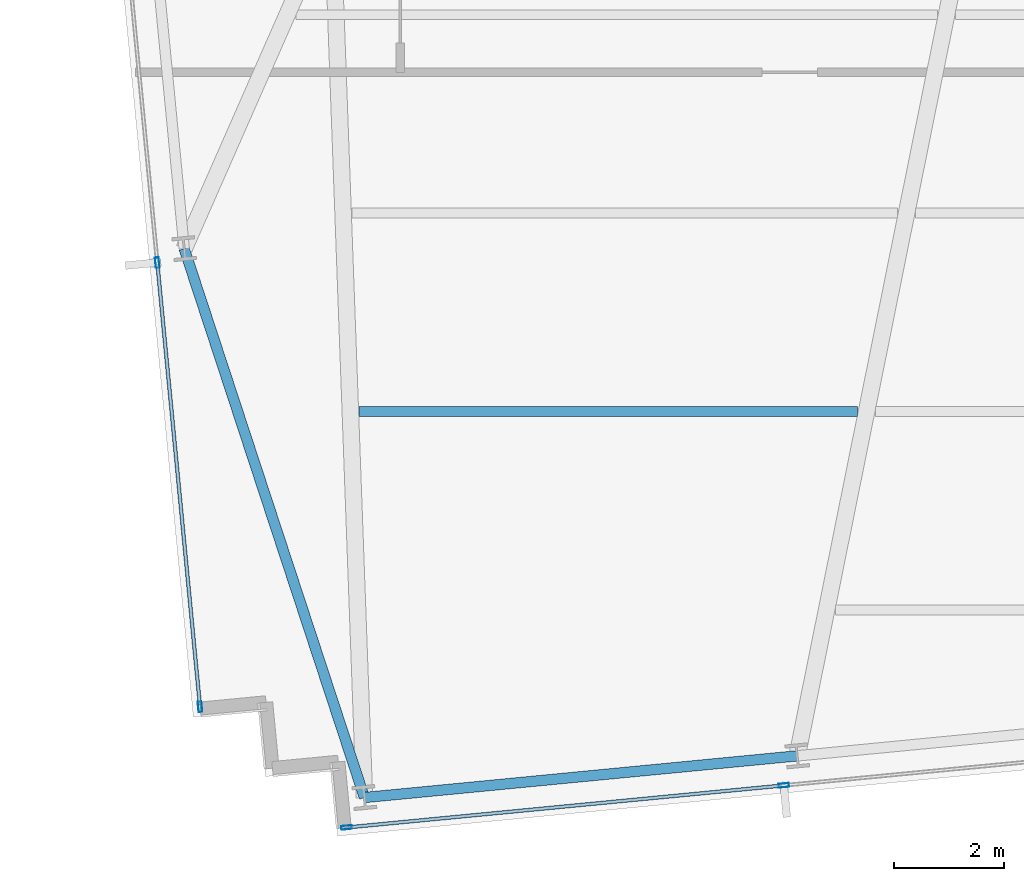
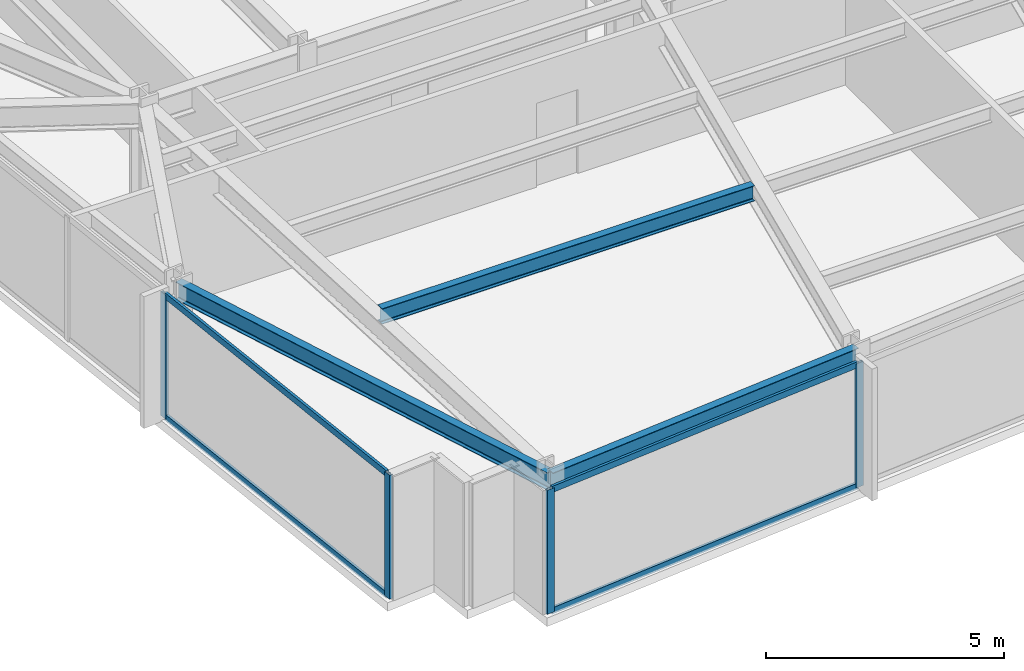
# One storey, part 2 of 32: 8 members, 3 beams, 2 elements without a shape of their own.
"""IFC4 building model written with IfcOpenShell, lengths in metres."""

import ifcopenshell
import ifcopenshell.guid

model = None  # the IFC model being written
_history = None  # IfcOwnerHistory: only IFC2X3 demands one
_inside = {}  # id of a spatial element -> (the spatial element, [elements in it])
_under = {}  # id of a project, library or spatial element -> (it, [spatial elements below it])
_declared = {}  # id of a project -> (the project, [libraries it declares])
_typed = {}  # id of a type object -> (the type object, [elements of that type])
_made_of = {}  # id of a material, layer set ... -> (it, [elements and type objects made of it])


def new_model(schema):
    """Start an empty IFC model of exactly this schema.

    Asked for "IFC4X3", IfcOpenShell would pick the latest addendum, in which some entities
    have other attributes; the version numbers below select the first issue.
    IFC2X3 requires an IfcOwnerHistory on every rooted entity: one is made here for all.
    """
    global model, _history
    if schema == "IFC4X3":
        model = ifcopenshell.file(schema_version=(4, 3, 0, 0))
    else:
        model = ifcopenshell.file(schema=schema)
    _inside.clear()
    _under.clear()
    _declared.clear()
    _typed.clear()
    _made_of.clear()
    _history = None
    if model.schema == "IFC2X3":
        org = make("IfcOrganization", Name="unknown")
        user = make(
            "IfcPersonAndOrganization",
            ThePerson=make("IfcPerson", FamilyName="unknown"),
            TheOrganization=org,
        )
        app = make(
            "IfcApplication",
            ApplicationDeveloper=org,
            Version="unknown",
            ApplicationFullName="unknown",
            ApplicationIdentifier="unknown",
        )
        _history = make(
            "IfcOwnerHistory",
            OwningUser=user,
            OwningApplication=app,
            ChangeAction="ADDED",
            CreationDate=0,
        )
    return model


def make(cls, **values):
    """One entity of the class cls with the attributes given. An attribute that is None is left unset."""
    return model.create_entity(
        cls, **{name: value for name, value in values.items() if value is not None}
    )


def rooted(cls, **values):
    """An entity with a GlobalId (a new one), such as an element, a storey or a relation."""
    return make(cls, GlobalId=ifcopenshell.guid.new(), OwnerHistory=_history, **values)


def si_unit(unit_type, name, prefix=None):
    """IfcSIUnit, for example si_unit("LENGTHUNIT", "METRE", prefix="MILLI")."""
    return make("IfcSIUnit", UnitType=unit_type, Prefix=prefix, Name=name)


def assignment(units):
    """IfcUnitAssignment: the units of a project."""
    return None if units is None else make("IfcUnitAssignment", Units=units)


def point(xyz):
    """IfcCartesianPoint."""
    return None if xyz is None else make("IfcCartesianPoint", Coordinates=xyz)


def direction(xyz):
    """IfcDirection."""
    return None if xyz is None else make("IfcDirection", DirectionRatios=xyz)


def frame(location, z_axis=None, x_axis=None):
    """IfcAxis2Placement3D, a coordinate frame: its origin and axes. An axis left out is left unset."""
    return make(
        "IfcAxis2Placement3D",
        Location=point(location),
        Axis=direction(z_axis),
        RefDirection=direction(x_axis),
    )


def frame_2d(location, x_axis=None):
    """IfcAxis2Placement2D, a coordinate frame in the plane: its origin and x axis."""
    return make(
        "IfcAxis2Placement2D", Location=point(location), RefDirection=direction(x_axis)
    )


def origin():
    """The frame at (0, 0, 0) with its axes left unset."""
    return frame((0.0, 0.0, 0.0))


def origin_2d():
    """The frame at (0, 0) in the plane with its x axis left unset."""
    return frame_2d((0.0, 0.0))


def place(relative_to, where):
    """IfcLocalPlacement: puts the frame where relative to a parent placement (None: the world)."""
    return make(
        "IfcLocalPlacement", PlacementRelTo=relative_to, RelativePlacement=where
    )


def context(
    kind, dimensions, precision=None, world=None, true_north=None, identifier=None
):
    """IfcGeometricRepresentationContext, for example the 3D "Model" context."""
    return make(
        "IfcGeometricRepresentationContext",
        ContextIdentifier=identifier,
        ContextType=kind,
        CoordinateSpaceDimension=dimensions,
        Precision=precision,
        WorldCoordinateSystem=world,
        TrueNorth=true_north,
    )


def subcontext(parent, identifier, kind, view, scale=None):
    """IfcGeometricRepresentationSubContext, for example "Body" below "Model"."""
    return make(
        "IfcGeometricRepresentationSubContext",
        ContextIdentifier=identifier,
        ContextType=kind,
        ParentContext=parent,
        TargetScale=scale,
        TargetView=view,
    )


def project(units=None, contexts=None):
    """IfcProject with its units and contexts."""
    return rooted(
        "IfcProject",
        Name="project",
        RepresentationContexts=contexts,
        UnitsInContext=assignment(units),
    )


def spatial(cls, under=None, at=None, **own):
    """A site, building, storey or space (cls), placed at a placement, below another one or the project."""
    s = rooted(cls, ObjectPlacement=at, **own)
    if under is not None:
        _under.setdefault(under.id(), (under, []))[1].append(s)
    return s


def profile(cls, at=None, kind="AREA", **sizes):
    """A parametric profile (cls). Its sizes go by their IFC names, for example OverallWidth=200.0."""
    return make(cls, ProfileType=kind, Position=at, **sizes)


def hollow_rectangle(**sizes):
    """IfcRectangleHollowProfileDef."""
    return profile("IfcRectangleHollowProfileDef", **sizes)


def i_section(**sizes):
    """IfcIShapeProfileDef."""
    return profile("IfcIShapeProfileDef", **sizes)


def extrude(swept, where, along, depth):
    """IfcExtrudedAreaSolid: the profile swept, set in the frame where, extruded along a direction by depth."""
    return make(
        "IfcExtrudedAreaSolid",
        SweptArea=swept,
        Position=where,
        ExtrudedDirection=direction(along),
        Depth=depth,
    )


def shape(context_of_items, identifier, shape_type, items):
    """IfcShapeRepresentation: the items that make up one representation, for example the "Body"."""
    return make(
        "IfcShapeRepresentation",
        ContextOfItems=context_of_items,
        RepresentationIdentifier=identifier,
        RepresentationType=shape_type,
        Items=items,
    )


def material(Name=None, Category=None):
    """IfcMaterial."""
    return make("IfcMaterial", Name=Name, Category=Category)


def material_profile(
    of_material, cross_section, Name=None, Category=None, Priority=None
):
    """IfcMaterialProfile: a cross section and its material."""
    return make(
        "IfcMaterialProfile",
        Name=Name,
        Material=of_material,
        Profile=cross_section,
        Priority=Priority,
        Category=Category,
    )


def profile_set(profiles, Name=None, composite=None):
    """IfcMaterialProfileSet."""
    return make(
        "IfcMaterialProfileSet",
        Name=Name,
        MaterialProfiles=profiles,
        CompositeProfile=composite,
    )


def made_of(thing, what):
    """Note that an element or type object is made of a material, layer set ...; save() writes the relation."""
    if what is not None:
        _made_of.setdefault(what.id(), (what, []))[1].append(thing)
    return thing


def type_object(cls, material=None, **own):
    """A type object (cls), such as IfcWallType, which elements share."""
    return made_of(rooted(cls, **own), material)


def element(
    cls,
    number,
    at=None,
    inside=None,
    cuts=None,
    type_object=None,
    material=None,
    context=None,
    identifier="Body",
    shape_type=None,
    held_by="IfcProductDefinitionShape",
    body=None,
    shapes=None,
    **own,
):
    """One element of the class cls, such as IfcWall. Its Tag is "e" and its number.

    at: its placement. inside: the storey or other place that contains it. cuts: it is an
    opening in that element (IfcRelVoidsElement). A single representation is given by context,
    identifier, shape_type and body (its items); several are given by shapes. held_by: the class
    of the entity that holds the representations. save() writes the other relations.
    """
    e = rooted(cls, Tag="e%d" % number, ObjectPlacement=at, **own)
    if body is not None:
        shapes = [shape(context, identifier, shape_type, body)]
    if shapes is not None:
        e.Representation = make(held_by, Representations=shapes)
    if inside is not None:
        _inside.setdefault(inside.id(), (inside, []))[1].append(e)
    if cuts is not None:
        rooted(
            "IfcRelVoidsElement", RelatingBuildingElement=cuts, RelatedOpeningElement=e
        )
    if type_object is not None:
        _typed.setdefault(type_object.id(), (type_object, []))[1].append(e)
    return made_of(e, material)


def aggregate(whole, parts):
    """IfcRelAggregates: a whole, such as a stair, and the parts it consists of."""
    return rooted("IfcRelAggregates", RelatingObject=whole, RelatedObjects=parts)


def save(model, path):
    """Write the relations noted so far, then the file.

    IfcRelAggregates (storeys below a building ...), IfcRelContainedInSpatialStructure (elements
    in a storey), IfcRelDefinesByType, IfcRelAssociatesMaterial and IfcRelDeclares: one each for
    every whole, place, type object, material and project.
    """
    for whole, parts in _under.values():
        aggregate(whole, parts)
    for where, things in _inside.values():
        rooted(
            "IfcRelContainedInSpatialStructure",
            RelatedElements=things,
            RelatingStructure=where,
        )
    for kind, things in _typed.values():
        rooted("IfcRelDefinesByType", RelatedObjects=things, RelatingType=kind)
    for what, things in _made_of.values():
        rooted("IfcRelAssociatesMaterial", RelatedObjects=things, RelatingMaterial=what)
    for by, libraries in _declared.values():
        rooted("IfcRelDeclares", RelatingContext=by, RelatedDefinitions=libraries)
    model.write(path)


model = new_model("IFC4")

# Units and contexts
model_context = context("Model", 3, precision=1e-05, world=origin(), true_north=direction((0.0, 1.0)))
body_context = subcontext(model_context, "Body", "Model", "MODEL_VIEW")
ifc_project = project(units=[si_unit("LENGTHUNIT", "METRE"), si_unit("AREAUNIT", "SQUARE_METRE"), si_unit("VOLUMEUNIT", "CUBIC_METRE"), si_unit("PLANEANGLEUNIT", "RADIAN"), si_unit("MASSUNIT", "GRAM", prefix="KILO")], contexts=[model_context])

# Site, building, storey
site_placement = place(None, origin())
site = spatial("IfcSite", under=ifc_project, at=site_placement, CompositionType="ELEMENT")
building_placement = place(site_placement, origin())
building = spatial("IfcBuilding", under=site, at=building_placement, Name="Yelkora Congress Tower", CompositionType="ELEMENT")
storey_placement = place(building_placement, frame((0.0, 0.0, 103.300048828125)))
storey = spatial("IfcBuildingStorey", under=building, at=storey_placement, Name="L27", CompositionType="ELEMENT", Elevation=103.300048828125)

# Beams
ifc_material_1 = material(Name="Steel S355J2", Category="steel")
ifc_material_profile_1 = material_profile(ifc_material_1, i_section(OverallWidth=0.179931640625, OverallDepth=0.39990234375, WebThickness=0.008544921875, FlangeThickness=0.013427734375, FilletRadius=0.02099609375, at=origin_2d()), Name="IPE 400")
ifc_profile_set_1 = profile_set([ifc_material_profile_1], Name="Steel S355J2")
beam_type_1 = type_object("IfcBeamType", Name="BM-JOIST-IPE400", PredefinedType="JOIST", material=ifc_profile_set_1)
beam_1_placement = place(storey_placement, frame((19.6904296875, 16.144287109375, 2.97998046875), z_axis=(1.0, 0.0, 0.0), x_axis=(0.0, 1.0, 0.0)))
element("IfcBeam", 1, at=beam_1_placement, inside=storey, type_object=beam_type_1, Name="L27 Composite Floor Joist 4", PredefinedType="JOIST", context=body_context, shape_type="SweptSolid", body=[
    extrude(i_section(OverallWidth=0.179931640625, OverallDepth=0.39990234375, WebThickness=0.008544921875, FlangeThickness=0.013427734375, FilletRadius=0.02099609375, at=origin_2d()), origin(), (0.0, 0.0, 1.0), 9.0439453125),
])
ifc_material_profile_2 = material_profile(ifc_material_1, i_section(OverallWidth=0.18994140625, OverallDepth=0.449951171875, WebThickness=0.009521484375, FlangeThickness=0.0146484375, FilletRadius=0.02099609375, at=origin_2d()), Name="IPE 450")
ifc_profile_set_2 = profile_set([ifc_material_profile_2], Name="Steel S355J2")
beam_type_2 = type_object("IfcBeamType", Name="BM-SPAN-IPE450", PredefinedType="SPANDREL", material=ifc_profile_set_2)
beam_2_placement = place(storey_placement, frame((16.5166015625, 19.101806640625, 2.954833984375), z_axis=(0.311940628701, -0.95010159676, 0.0), x_axis=(0.95010159676, 0.311940628701, 0.0)))
element("IfcBeam", 2, at=beam_2_placement, inside=storey, type_object=beam_type_2, Name="L27 Perimeter Beam 2", PredefinedType="SPANDREL", context=body_context, shape_type="SweptSolid", body=[
    extrude(i_section(OverallWidth=0.18994140625, OverallDepth=0.449951171875, WebThickness=0.009521484375, FlangeThickness=0.0146484375, FilletRadius=0.02099609375, at=origin_2d()), origin(), (0.0, 0.0, 1.0), 10.48046875),
])
beam_3_placement = place(storey_placement, frame((19.785888671875, 9.144287109375, 2.954833984375), z_axis=(0.995395860104, 0.095849265454, 0.0), x_axis=(-0.095849265454, 0.995395860104, 0.0)))
element("IfcBeam", 3, at=beam_3_placement, inside=storey, type_object=beam_type_2, Name="L27 Perimeter Beam 3", PredefinedType="SPANDREL", context=body_context, shape_type="SweptSolid", body=[
    extrude(i_section(OverallWidth=0.18994140625, OverallDepth=0.449951171875, WebThickness=0.009521484375, FlangeThickness=0.0146484375, FilletRadius=0.02099609375, at=origin_2d()), origin(), (0.0, 0.0, 1.0), 7.885986328125),
])

# Curtain wall, members
ifc_material_2 = material(Name="Anodised aluminium and insulated glass", Category="aluminium")
curtain_wall_type = type_object("IfcCurtainWallType", Name="CW-SYS-B2", PredefinedType="NOTDEFINED", material=ifc_material_2)
curtain_wall_1_placement = place(storey_placement, origin())
curtain_wall_1 = element("IfcCurtainWall", 4, at=curtain_wall_1_placement, inside=storey, type_object=curtain_wall_type, Name="L27 Unitised Curtain Wall 5", PredefinedType="NOTDEFINED")
ifc_material_3 = material(Name="Anodised aluminium 6063-T6", Category="aluminium")
ifc_material_profile_3 = material_profile(ifc_material_3, hollow_rectangle(XDim=0.070068359375, YDim=0.18994140625, WallThickness=0.00390625, at=origin_2d()), Name="ALU 70x190x4")
ifc_profile_set_3 = profile_set([ifc_material_profile_3], Name="Anodised aluminium 6063-T6")
member_type_1 = type_object("IfcMemberType", Name="MEM-ML-B2", PredefinedType="MULLION", material=ifc_profile_set_3)
member_1_placement = place(storey_placement, frame((16.804443359375, 10.791259765625, 0.0), z_axis=(0.0, 0.0, 1.0), x_axis=(-0.995396507508, -0.095842541913, 0.0)))
member_1 = element("IfcMember", 5, at=member_1_placement, type_object=member_type_1, Name="CW-B2 mullion 1", PredefinedType="MULLION", context=body_context, shape_type="SweptSolid", body=[
    extrude(hollow_rectangle(XDim=0.070068359375, YDim=0.18994140625, WallThickness=0.00390625, at=origin_2d()), origin(), (0.0, 0.0, 1.0), 3.179931640625),
])
member_2_placement = place(storey_placement, frame((16.028564453125, 18.848876953125, 0.0), z_axis=(0.0, 0.0, 1.0), x_axis=(-0.995396507508, -0.095842541913, 0.0)))
member_2 = element("IfcMember", 6, at=member_2_placement, type_object=member_type_1, Name="CW-B2 mullion 2", PredefinedType="MULLION", context=body_context, shape_type="SweptSolid", body=[
    extrude(hollow_rectangle(XDim=0.070068359375, YDim=0.18994140625, WallThickness=0.00390625, at=origin_2d()), origin(), (0.0, 0.0, 1.0), 3.179931640625),
])

curtain_wall_2_placement = place(storey_placement, origin())
curtain_wall_2 = element("IfcCurtainWall", 7, at=curtain_wall_2_placement, inside=storey, type_object=curtain_wall_type, Name="L27 Unitised Curtain Wall 20", PredefinedType="NOTDEFINED")
member_3_placement = place(storey_placement, frame((27.392822265625, 9.364501953125, 0.0), z_axis=(0.0, 0.0, 1.0), x_axis=(0.095844345816, -0.995396333816, 0.0)))
member_3 = element("IfcMember", 8, at=member_3_placement, type_object=member_type_1, Name="CW-B2 mullion 7", PredefinedType="MULLION", context=body_context, shape_type="SweptSolid", body=[
    extrude(hollow_rectangle(XDim=0.070068359375, YDim=0.18994140625, WallThickness=0.00390625, at=origin_2d()), origin(), (0.0, 0.0, 1.0), 3.179931640625),
])
member_4_placement = place(storey_placement, frame((19.46142578125, 8.600830078125, 0.0), z_axis=(0.0, 0.0, 1.0), x_axis=(0.095844345816, -0.995396333816, 0.0)))
member_4 = element("IfcMember", 9, at=member_4_placement, type_object=member_type_1, Name="CW-B2 mullion 8", PredefinedType="MULLION", context=body_context, shape_type="SweptSolid", body=[
    extrude(hollow_rectangle(XDim=0.070068359375, YDim=0.18994140625, WallThickness=0.00390625, at=origin_2d()), origin(), (0.0, 0.0, 1.0), 3.179931640625),
])

# Member
ifc_material_profile_4 = material_profile(ifc_material_3, hollow_rectangle(XDim=0.06494140625, YDim=0.159912109375, WallThickness=0.00390625, at=origin_2d()), Name="ALU 65x160x4")
ifc_profile_set_4 = profile_set([ifc_material_profile_4], Name="Anodised aluminium 6063-T6")
member_type_2 = type_object("IfcMemberType", Name="MEM-TR-B2", PredefinedType="USERDEFINED", material=ifc_profile_set_4)
member_5_placement = place(storey_placement, frame((16.801025390625, 10.826171875, 0.032470703125), z_axis=(-0.095861385662, 0.995394692943, 0.0), x_axis=(-0.995394692943, -0.095861385662, 0.0)))
member_5 = element("IfcMember", 10, at=member_5_placement, type_object=member_type_2, Name="CW-B2 transom 1.1", ObjectType="TRANSOM", PredefinedType="USERDEFINED", context=body_context, shape_type="SweptSolid", body=[
    extrude(hollow_rectangle(XDim=0.06494140625, YDim=0.159912109375, WallThickness=0.00390625, at=origin_2d()), origin(), (0.0, 0.0, 1.0), 8.02490234375),
])

member_6_placement = place(storey_placement, frame((16.801025390625, 10.826171875, 3.1474609375), z_axis=(-0.095861385662, 0.995394692943, 0.0), x_axis=(-0.995394692943, -0.095861385662, 0.0)))
member_6 = element("IfcMember", 11, at=member_6_placement, type_object=member_type_2, Name="CW-B2 transom 1.2", ObjectType="TRANSOM", PredefinedType="USERDEFINED", context=body_context, shape_type="SweptSolid", body=[
    extrude(hollow_rectangle(XDim=0.06494140625, YDim=0.159912109375, WallThickness=0.00390625, at=origin_2d()), origin(), (0.0, 0.0, 1.0), 8.02490234375),
])

aggregate(curtain_wall_1, [member_1, member_2, member_5, member_6])

member_7_placement = place(storey_placement, frame((27.35791015625, 9.361083984375, 0.032470703125), z_axis=(-0.995397978421, -0.095827264157, 0.0), x_axis=(0.095827264157, -0.995397978421, 0.0)))
member_7 = element("IfcMember", 12, at=member_7_placement, type_object=member_type_2, Name="CW-B2 transom 7.1", ObjectType="TRANSOM", PredefinedType="USERDEFINED", context=body_context, shape_type="SweptSolid", body=[
    extrude(hollow_rectangle(XDim=0.06494140625, YDim=0.159912109375, WallThickness=0.00390625, at=origin_2d()), origin(), (0.0, 0.0, 1.0), 7.89794921875),
])

member_8_placement = place(storey_placement, frame((27.35791015625, 9.361083984375, 3.1474609375), z_axis=(-0.995397978421, -0.095827264157, 0.0), x_axis=(0.095827264157, -0.995397978421, 0.0)))
member_8 = element("IfcMember", 13, at=member_8_placement, type_object=member_type_2, Name="CW-B2 transom 7.2", ObjectType="TRANSOM", PredefinedType="USERDEFINED", context=body_context, shape_type="SweptSolid", body=[
    extrude(hollow_rectangle(XDim=0.06494140625, YDim=0.159912109375, WallThickness=0.00390625, at=origin_2d()), origin(), (0.0, 0.0, 1.0), 7.89794921875),
])

aggregate(curtain_wall_2, [member_3, member_4, member_7, member_8])

save(model, "model.ifc")
